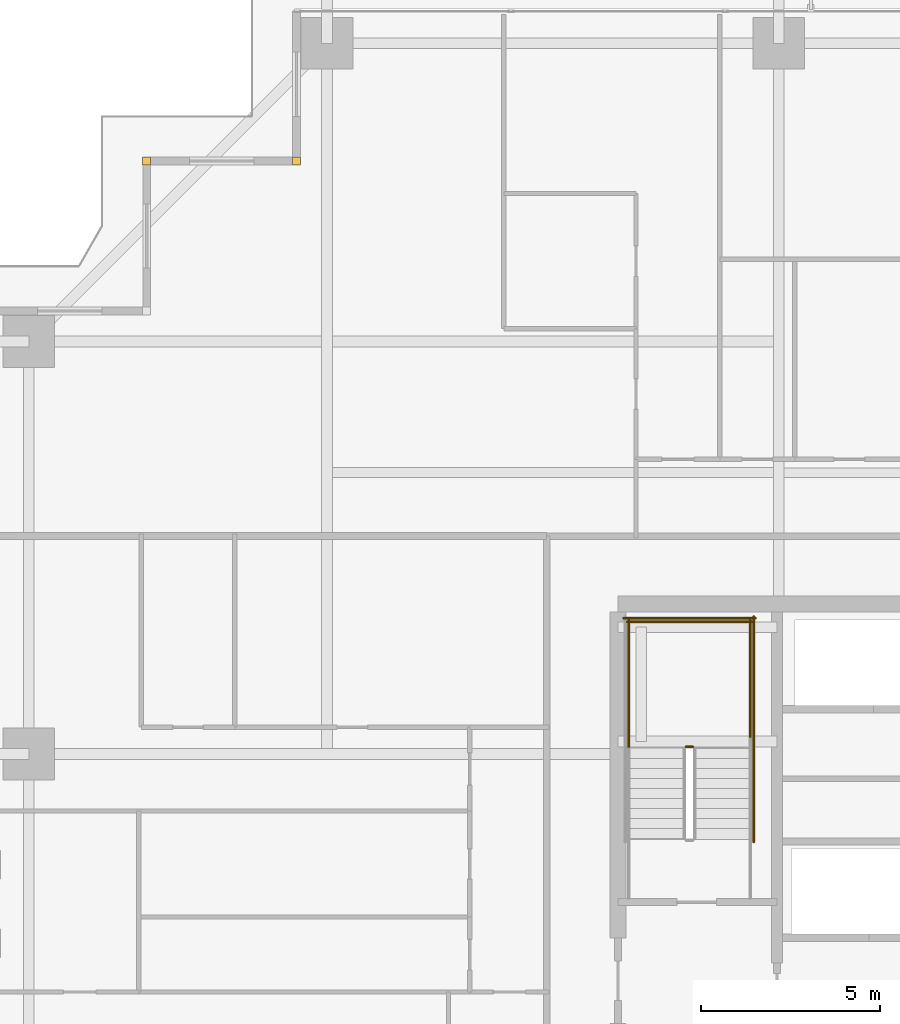
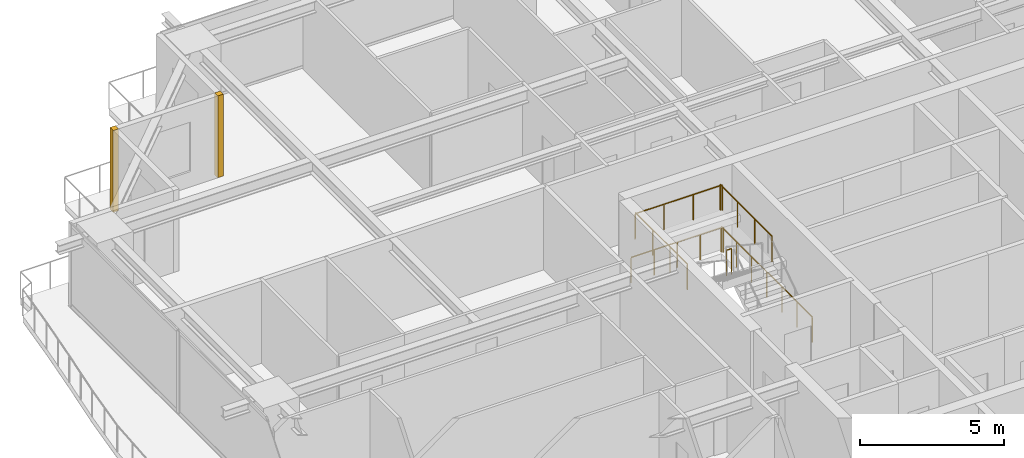
# One storey, part 40 of 41: 6 railings, 2 coverings.
"""IFC4 building model written with IfcOpenShell, lengths in metres."""

from ifc_helpers import new_model, si_unit, direction, frame, origin, origin_2d, place, context, subcontext, project, spatial, rectangle, circle, extrude, source, transform, mapped, material, layer, layer_set, type_object, element, save


model = new_model("IFC4")

# Units and contexts
model_context = context("Model", 3, precision=1e-05, world=origin(), true_north=direction((0.0, 1.0)))
body_context = subcontext(model_context, "Body", "Model", "MODEL_VIEW")
ifc_project = project(units=[si_unit("LENGTHUNIT", "METRE"), si_unit("AREAUNIT", "SQUARE_METRE"), si_unit("VOLUMEUNIT", "CUBIC_METRE"), si_unit("PLANEANGLEUNIT", "RADIAN"), si_unit("MASSUNIT", "GRAM", prefix="KILO")], contexts=[model_context])

# Site, building, storey
site_placement = place(None, origin())
site = spatial("IfcSite", under=ifc_project, at=site_placement, CompositionType="ELEMENT")
building_placement = place(site_placement, origin())
building = spatial("IfcBuilding", under=site, at=building_placement, Name="Serunith Strait Residences", CompositionType="ELEMENT")
storey_placement = place(building_placement, frame((0.0, 0.0, 75.449951171875)))
storey = spatial("IfcBuildingStorey", under=building, at=storey_placement, Name="L18", CompositionType="ELEMENT", Elevation=75.449951171875)

# Railings
ifc_material_1 = material(Name="Brushed stainless steel 316L", Category="steel")
railing_type = type_object("IfcRailingType", Name="RLG-STAIR-GUARD", PredefinedType="BALUSTRADE", material=ifc_material_1)
railing_1_placement = place(storey_placement, frame((25.5, 29.60009765625, 1.875)))
element("IfcRailing", 1, at=railing_1_placement, inside=storey, type_object=railing_type, Name="L18 ST-1 stair guard 2", PredefinedType="BALUSTRADE", context=body_context, shape_type="SweptSolid", body=[
    extrude(circle(Radius=0.02392578125, at=origin_2d()), frame((-0.001953125, 0.0, 1.076171875), z_axis=(-1.0, 0.0, 0.0), x_axis=(0.0, -1.0, 0.0)), (0.0, 0.0, 1.0), 0.196044921875),
    extrude(circle(Radius=0.02099609375, at=origin_2d()), origin(), (0.0, 0.0, 1.0), 1.050048828125),
    extrude(circle(Radius=0.02099609375, at=origin_2d()), frame((-0.199951171875, 0.0, 0.0)), (0.0, 0.0, 1.0), 1.050048828125),
])
for number, where, name in (
    (2, (27.10009765625, 29.550048828125, 1.875), "L18 ST-1 stair guard 3"),
    (3, (23.699951171875, 29.550048828125, 1.875), "L18 ST-1 stair guard 4"),
):
    element("IfcRailing", number, at=place(storey_placement, frame(where)), inside=storey, type_object=railing_type, Name=name, PredefinedType="BALUSTRADE", context=body_context, shape_type="SweptSolid", body=[
        extrude(circle(Radius=0.02392578125, at=origin_2d()), frame((0.0, 0.001953125, 1.076171875), z_axis=(0.0, 1.0, 0.0), x_axis=(-1.0, 0.0, 0.0)), (0.0, 0.0, 1.0), 3.595947265625),
        extrude(circle(Radius=0.02099609375, at=origin_2d()), origin(), (0.0, 0.0, 1.0), 1.050048828125),
        extrude(circle(Radius=0.02099609375, at=origin_2d()), frame((0.0, 1.199951171875, 0.0)), (0.0, 0.0, 1.0), 1.050048828125),
        extrude(circle(Radius=0.02099609375, at=origin_2d()), frame((0.0, 2.39990234375, 0.0)), (0.0, 0.0, 1.0), 1.050048828125),
        extrude(circle(Radius=0.02099609375, at=origin_2d()), frame((0.0, 3.599853515625, 0.0)), (0.0, 0.0, 1.0), 1.050048828125),
    ])
railing_2_placement = place(storey_placement, frame((27.14990234375, 33.10009765625, 1.875)))
element("IfcRailing", 4, at=railing_2_placement, inside=storey, type_object=railing_type, Name="L18 ST-1 stair guard 5", PredefinedType="BALUSTRADE", context=body_context, shape_type="SweptSolid", body=[
    extrude(circle(Radius=0.02392578125, at=origin_2d()), frame((-0.001953125, 0.0, 1.076171875), z_axis=(-1.0, 0.0, 0.0), x_axis=(0.0, -1.0, 0.0)), (0.0, 0.0, 1.0), 3.49609375),
    extrude(circle(Radius=0.02099609375, at=origin_2d()), origin(), (0.0, 0.0, 1.0), 1.050048828125),
    extrude(circle(Radius=0.02099609375, at=origin_2d()), frame((-1.166748046875, 0.0, 0.0)), (0.0, 0.0, 1.0), 1.050048828125),
    extrude(circle(Radius=0.02099609375, at=origin_2d()), frame((-2.333251953125, 0.0, 0.0)), (0.0, 0.0, 1.0), 1.050048828125),
    extrude(circle(Radius=0.02099609375, at=origin_2d()), frame((-3.5, 0.0, 0.0)), (0.0, 0.0, 1.0), 1.050048828125),
])
railing_3_placement = place(storey_placement, frame((27.199951171875, 26.929931640625, 0.0)))
element("IfcRailing", 5, at=railing_3_placement, inside=storey, type_object=railing_type, Name="L18 ST-1 stair guard 10", PredefinedType="BALUSTRADE", context=body_context, shape_type="SweptSolid", body=[
    extrude(circle(Radius=0.02392578125, at=origin_2d()), frame((0.0, 0.001953125, 1.076171875), z_axis=(0.0, 1.0, 0.0), x_axis=(-1.0, 0.0, 0.0)), (0.0, 0.0, 1.0), 6.316162109375),
    extrude(circle(Radius=0.02099609375, at=origin_2d()), origin(), (0.0, 0.0, 1.0), 1.050048828125),
    extrude(circle(Radius=0.02099609375, at=origin_2d()), frame((0.0, 1.05322265625, 0.0)), (0.0, 0.0, 1.0), 1.050048828125),
    extrude(circle(Radius=0.02099609375, at=origin_2d()), frame((0.0, 2.106689453125, 0.0)), (0.0, 0.0, 1.0), 1.050048828125),
    extrude(circle(Radius=0.02099609375, at=origin_2d()), frame((0.0, 3.16015625, 0.0)), (0.0, 0.0, 1.0), 1.050048828125),
    extrude(circle(Radius=0.02099609375, at=origin_2d()), frame((0.0, 4.21337890625, 0.0)), (0.0, 0.0, 1.0), 1.050048828125),
    extrude(circle(Radius=0.02099609375, at=origin_2d()), frame((0.0, 5.2666015625, 0.0)), (0.0, 0.0, 1.0), 1.050048828125),
    extrude(circle(Radius=0.02099609375, at=origin_2d()), frame((0.0, 6.320068359375, 0.0)), (0.0, 0.0, 1.0), 1.050048828125),
])
railing_4_placement = place(storey_placement, frame((27.25, 33.199951171875, 0.0)))
element("IfcRailing", 6, at=railing_4_placement, inside=storey, type_object=railing_type, Name="L18 ST-1 stair guard 12", PredefinedType="BALUSTRADE", context=body_context, shape_type="SweptSolid", body=[
    extrude(circle(Radius=0.02392578125, at=origin_2d()), frame((-0.001953125, 0.0, 1.076171875), z_axis=(-1.0, 0.0, 0.0), x_axis=(0.0, -1.0, 0.0)), (0.0, 0.0, 1.0), 3.696044921875),
    extrude(circle(Radius=0.02099609375, at=origin_2d()), origin(), (0.0, 0.0, 1.0), 1.050048828125),
    extrude(circle(Radius=0.02099609375, at=origin_2d()), frame((-0.925048828125, 0.0, 0.0)), (0.0, 0.0, 1.0), 1.050048828125),
    extrude(circle(Radius=0.02099609375, at=origin_2d()), frame((-1.85009765625, 0.0, 0.0)), (0.0, 0.0, 1.0), 1.050048828125),
    extrude(circle(Radius=0.02099609375, at=origin_2d()), frame((-2.77490234375, 0.0, 0.0)), (0.0, 0.0, 1.0), 1.050048828125),
    extrude(circle(Radius=0.02099609375, at=origin_2d()), frame((-3.699951171875, 0.0, 0.0)), (0.0, 0.0, 1.0), 1.050048828125),
])

# Coverings
ifc_material_2 = material(Name="Pale-Champagne Anodised Aluminium", Category="aluminium")
ifc_layer = layer(ifc_material_2, 0.219970703125, Name="Pale-Champagne Anodised Aluminium")
ifc_layer_set = layer_set([ifc_layer], Name="Pale-Champagne Anodised Aluminium")
covering_type = type_object("IfcCoveringType", Name="COV-CORN-TRIM", PredefinedType="CLADDING", material=ifc_layer_set)
shared_shape = source(origin(), body_context, "Body", "SweptSolid", [
    extrude(rectangle(XDim=0.221923828125, YDim=0.221923828125, at=origin_2d()), origin(), (0.0, 0.0, 1.0), 3.47509765625),
])
for number, where, z_axis, x_axis, name in (
    (7, (14.39990234375, 46.0, 0.0), (0.0, 0.0, 1.0), (1.0, 0.0, 0.0), "L18 Girih Serrated Corner Trim Post 12"),
    (8, (10.199951171875, 46.0, 0.0), (0.0, 0.0, 1.0), (1.0, 0.0, 0.0), "L18 Girih Serrated Corner Trim Post 13"),
):
    element("IfcCovering", number, at=place(storey_placement, frame(where, z_axis=z_axis, x_axis=x_axis)), inside=storey, type_object=covering_type, Name=name, PredefinedType="CLADDING", context=body_context, shape_type="MappedRepresentation", body=[
        mapped(shared_shape, transform((0.0, 0.0, 0.0), scale=1.0)),
    ])

save(model, "model.ifc")
